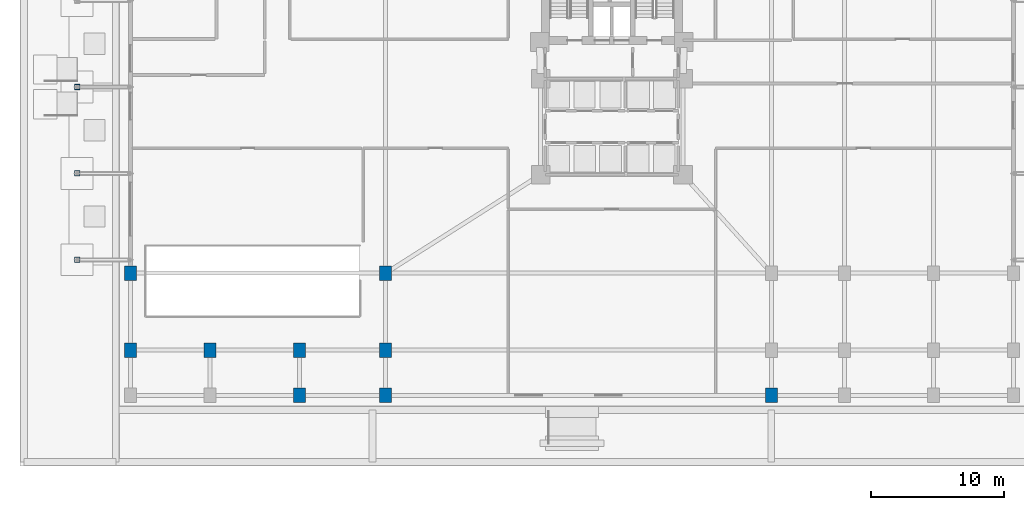
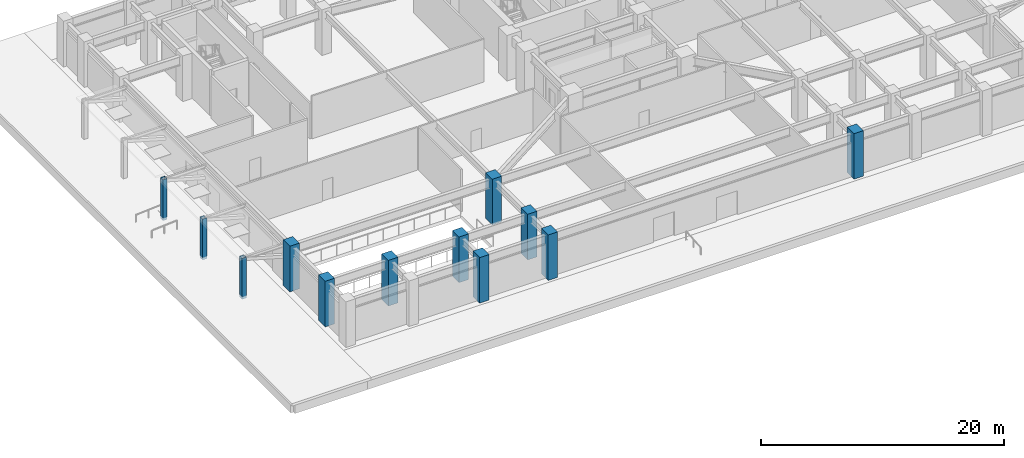
# One storey, part 2 of 23: 12 columns.
"""IFC4 building model written with IfcOpenShell, lengths in metres."""

from ifc_helpers import new_model, si_unit, direction, frame, origin, origin_2d, place, context, subcontext, project, spatial, rectangle, hollow_rectangle, extrude, material, material_profile, profile_set, type_object, element, save


model = new_model("IFC4")

# Units and contexts
model_context = context("Model", 3, precision=1e-05, world=origin(), true_north=direction((0.0, 1.0)))
body_context = subcontext(model_context, "Body", "Model", "MODEL_VIEW")
ifc_project = project(units=[si_unit("LENGTHUNIT", "METRE"), si_unit("AREAUNIT", "SQUARE_METRE"), si_unit("VOLUMEUNIT", "CUBIC_METRE"), si_unit("PLANEANGLEUNIT", "RADIAN"), si_unit("MASSUNIT", "GRAM", prefix="KILO")], contexts=[model_context])

# Site, building, storey
site_placement = place(None, origin())
site = spatial("IfcSite", under=ifc_project, at=site_placement, CompositionType="ELEMENT")
building_placement = place(site_placement, origin())
building = spatial("IfcBuilding", under=site, at=building_placement, Name="Varnakorn Sky Granary", CompositionType="ELEMENT")
storey_placement = place(building_placement, origin())
storey = spatial("IfcBuildingStorey", under=building, at=storey_placement, Name="L00", CompositionType="ELEMENT", Elevation=0.0)

# Columns
ifc_material_1 = material(Name="Steel S460M", Category="steel")
ifc_material_profile_1 = material_profile(ifc_material_1, hollow_rectangle(XDim=0.39990234375, YDim=0.39990234375, WallThickness=0.02001953125, at=origin_2d()), Name="SHS 400x400x20")
ifc_profile_set_1 = profile_set([ifc_material_profile_1], Name="Steel S460M")
column_type_1 = type_object("IfcColumnType", Name="COL-PIL-400", PredefinedType="PILASTER", material=ifc_profile_set_1)
for number, where, z_axis, x_axis, name in (
    (1, (-37.199951171875, -13.0, -0.25), (0.0, 0.0, 1.0), (1.0, 0.0, 0.0), "Plaza Canopy Pilaster CP1"),
    (2, (-37.199951171875, -6.5, -0.25), (0.0, 0.0, 1.0), (1.0, 0.0, 0.0), "Plaza Canopy Pilaster CP2"),
    (3, (-37.199951171875, 0.0, -0.25), (0.0, 0.0, 1.0), (1.0, 0.0, 0.0), "Plaza Canopy Pilaster CP3"),
):
    element("IfcColumn", number, at=place(storey_placement, frame(where, z_axis=z_axis, x_axis=x_axis)), inside=storey, type_object=column_type_1, Name=name, PredefinedType="PILASTER", context=body_context, shape_type="SweptSolid", body=[
        extrude(hollow_rectangle(XDim=0.39990234375, YDim=0.39990234375, WallThickness=0.02001953125, at=origin_2d()), origin(), (0.0, 0.0, 1.0), 4.10009765625),
    ])
ifc_material_2 = material(Name="Concrete C60/75", Category="concrete")
ifc_material_profile_2 = material_profile(ifc_material_2, rectangle(XDim=0.89990234375, YDim=1.10009765625, at=origin_2d()), Name="RC 900x1100")
ifc_profile_set_2 = profile_set([ifc_material_profile_2], Name="Concrete C60/75")
column_type_2 = type_object("IfcColumnType", Name="COL-POD-1100", PredefinedType="COLUMN", material=ifc_profile_set_2)
for number, where, z_axis, x_axis, name in (
    (4, (-33.199951171875, -19.800048828125, 0.0), (0.0, 0.0, 1.0), (1.0, 0.0, 0.0), "Podium Column P12 L00"),
    (5, (-33.199951171875, -14.0, 0.0), (0.0, 0.0, 1.0), (1.0, 0.0, 0.0), "Podium Column P13 L00"),
    (6, (-27.199951171875, -19.800048828125, 0.0), (0.0, 0.0, 1.0), (1.0, 0.0, 0.0), "Podium Column P22 L00"),
    (7, (-20.5, -23.199951171875, 0.0), (0.0, 0.0, 1.0), (1.0, 0.0, 0.0), "Podium Column P31 L00"),
    (8, (-20.5, -19.800048828125, 0.0), (0.0, 0.0, 1.0), (1.0, 0.0, 0.0), "Podium Column P32 L00"),
    (9, (-14.0, -23.199951171875, 0.0), (0.0, 0.0, 1.0), (1.0, 0.0, 0.0), "Podium Column P41 L00"),
    (10, (-14.0, -19.800048828125, 0.0), (0.0, 0.0, 1.0), (1.0, 0.0, 0.0), "Podium Column P42 L00"),
    (11, (-14.0, -14.0, 0.0), (0.0, 0.0, 1.0), (1.0, 0.0, 0.0), "Podium Column P43 L00"),
    (12, (15.0, -23.199951171875, 0.0), (0.0, 0.0, 1.0), (1.0, 0.0, 0.0), "Podium Column P51 L00"),
):
    element("IfcColumn", number, at=place(storey_placement, frame(where, z_axis=z_axis, x_axis=x_axis)), inside=storey, type_object=column_type_2, Name=name, PredefinedType="COLUMN", context=body_context, shape_type="SweptSolid", body=[
        extrude(rectangle(XDim=0.89990234375, YDim=1.10009765625, at=origin_2d()), origin(), (0.0, 0.0, 1.0), 4.574951171875),
    ])

save(model, "model.ifc")
